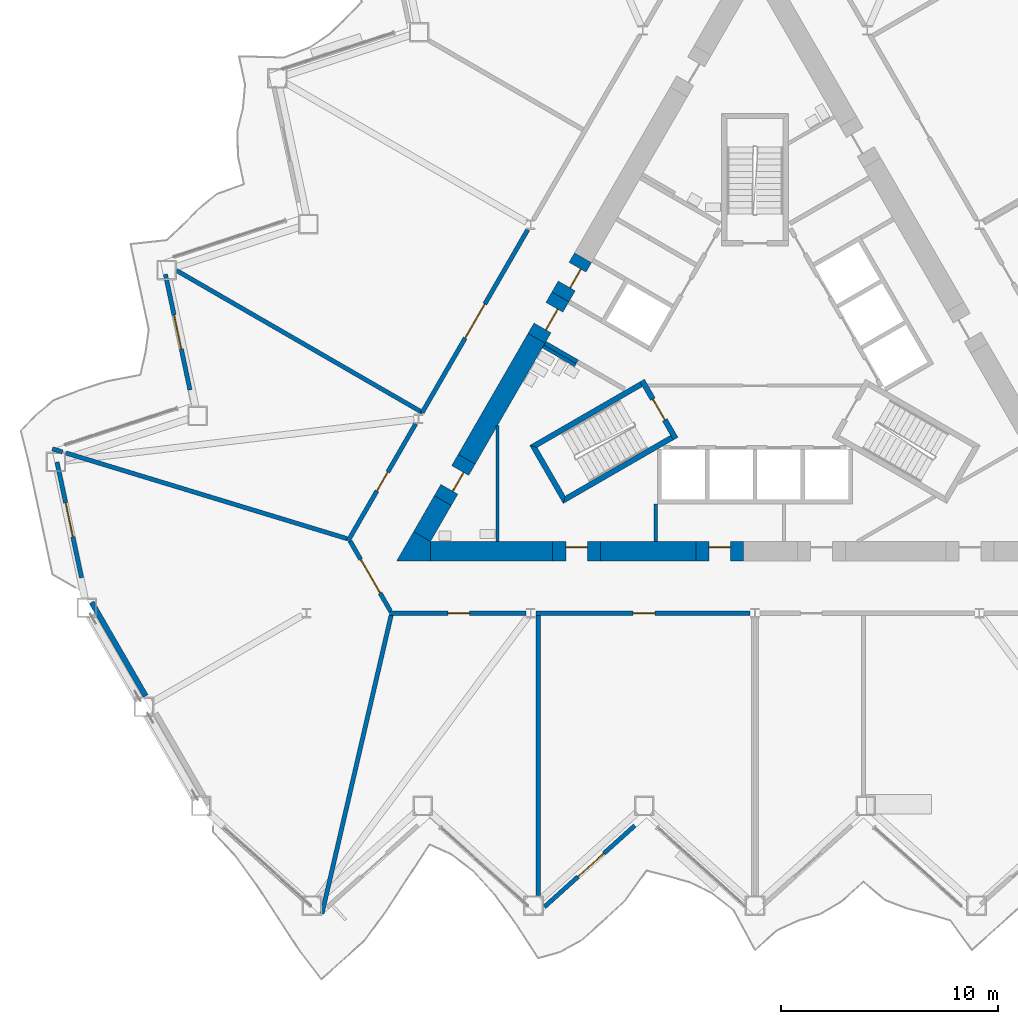
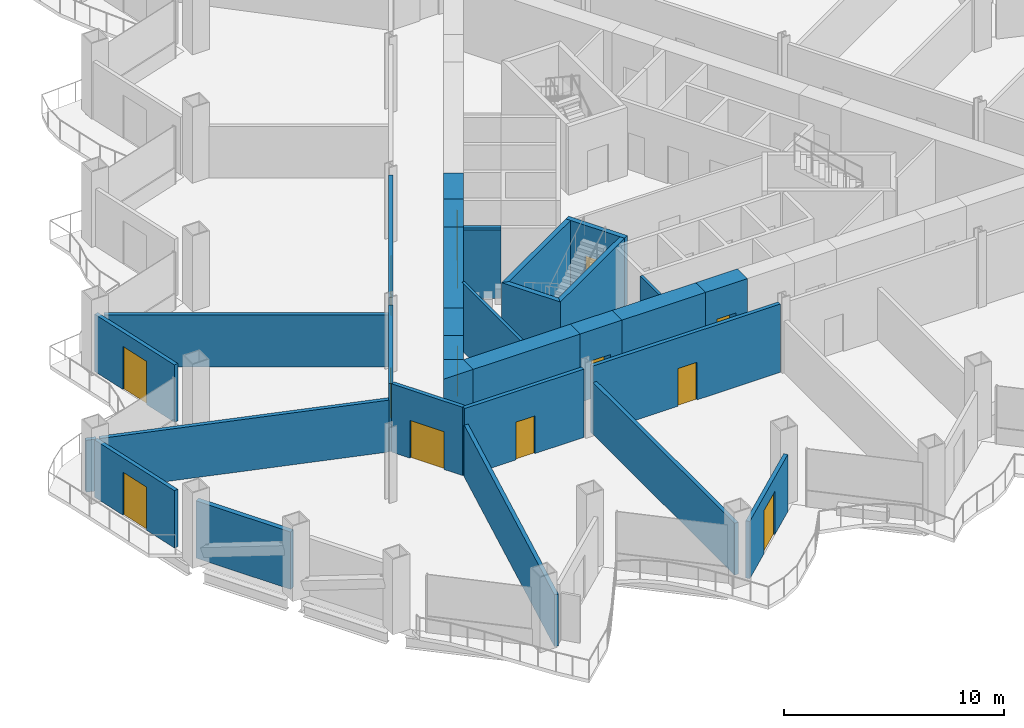
# One storey, part 10 of 21: 32 walls, 14 doors, 14 openings.
"""IFC4 building model written with IfcOpenShell, lengths in metres."""

from ifc_helpers import new_model, si_unit, direction, frame, frame_2d, origin, place, context, subcontext, project, spatial, polyline, rectangle, outline, extrude, material, layer, layer_set, type_object, element, fill, save


model = new_model("IFC4")

# Units and contexts
model_context = context("Model", 3, precision=1e-05, world=origin(), true_north=direction((0.0, 1.0)))
body_context = subcontext(model_context, "Body", "Model", "MODEL_VIEW")
ifc_project = project(units=[si_unit("LENGTHUNIT", "METRE"), si_unit("AREAUNIT", "SQUARE_METRE"), si_unit("VOLUMEUNIT", "CUBIC_METRE"), si_unit("PLANEANGLEUNIT", "RADIAN"), si_unit("MASSUNIT", "GRAM", prefix="KILO")], contexts=[model_context])

# Site, building, storey
site_placement = place(None, origin())
site = spatial("IfcSite", under=ifc_project, at=site_placement, CompositionType="ELEMENT")
building_placement = place(site_placement, origin())
building = spatial("IfcBuilding", under=site, at=building_placement, Name="Cormorant Prow Tower", CompositionType="ELEMENT")
storey_placement = place(building_placement, frame((0.0, 0.0, 108.0)))
storey = spatial("IfcBuildingStorey", under=building, at=storey_placement, Name="L22", CompositionType="ELEMENT", Elevation=108.0)

# Walls
ifc_material_1 = material(Name="Gypsum board partition")
ifc_layer_1 = layer(ifc_material_1, 0.14990234375)
ifc_layer_set_1 = layer_set([ifc_layer_1], Name="Gypsum board partition")
wall_type_1 = type_object("IfcWallType", Name="Core partition 150", PredefinedType="PARTITIONING", material=ifc_layer_set_1)
for number, where, z_axis, x_axis, name in (
    (1, (-8.268310546875, -0.509033203125, 0.0), (0.0, 0.0, 1.0), (-0.866024871741, 0.500000921525, 0.0), "Service room partition"),
    (2, (-4.574951171875, -6.906005859375, 0.0), (0.0, 0.0, 1.0), (0.0, -1.0, 0.0), "Service room partition"),
):
    element("IfcWall", number, at=place(storey_placement, frame(where, z_axis=z_axis, x_axis=x_axis)), inside=storey, type_object=wall_type_1, Name=name, PredefinedType="PARTITIONING", context=body_context, shape_type="SweptSolid", body=[
        extrude(rectangle(XDim=1.72021484375, YDim=0.14990234375, at=frame_2d((0.860107421875, 0.0))), origin(), (0.0, 0.0, 1.0), 3.800048828125),
    ])
wall_1_placement = place(storey_placement, frame((-11.853759765625, -8.626220703125, 0.0), z_axis=(0.0, 0.0, 1.0), x_axis=(0.0, 1.0, 0.0)))
element("IfcWall", 3, at=wall_1_placement, inside=storey, type_object=wall_type_1, Name="Service room partition", PredefinedType="PARTITIONING", context=body_context, shape_type="SweptSolid", body=[
    extrude(rectangle(XDim=5.347412109375, YDim=0.14990234375, at=frame_2d((2.673828125, 0.0))), origin(), (0.0, 0.0, 1.0), 3.800048828125),
])
ifc_material_2 = material(Name="Concrete 8000 psi", Category="concrete")
ifc_layer_2 = layer(ifc_material_2, 0.89990234375)
ifc_layer_set_2 = layer_set([ifc_layer_2], Name="Concrete 8000 psi")
wall_type_2 = type_object("IfcWallType", Name="Core shear wall 900", PredefinedType="SHEAR", material=ifc_layer_set_2)
wall_2_placement = place(storey_placement, frame((-14.941162109375, -9.076416015625, 0.0), z_axis=(0.0, 0.0, 1.0), x_axis=(1.0, 0.0, 0.0)))
element("IfcWall", 4, at=wall_2_placement, inside=storey, type_object=wall_type_2, Name="Core wall", PredefinedType="SHEAR", context=body_context, shape_type="SweptSolid", body=[
    extrude(rectangle(XDim=5.626708984375, YDim=0.89990234375, at=frame_2d((2.8134765625, 0.0))), origin(), (0.0, 0.0, 1.0), 3.800048828125),
])
wall_3_placement = place(storey_placement, frame((-7.114501953125, -9.076416015625, 0.0), z_axis=(0.0, 0.0, 1.0), x_axis=(1.0, 0.0, 0.0)))
element("IfcWall", 5, at=wall_3_placement, inside=storey, type_object=wall_type_2, Name="Core wall", PredefinedType="SHEAR", context=body_context, shape_type="SweptSolid", body=[
    extrude(rectangle(XDim=4.393310546875, YDim=0.89990234375, at=frame_2d((2.19677734375, 0.0))), origin(), (0.0, 0.0, 1.0), 3.800048828125),
])
wall_4_placement = place(storey_placement, frame((-10.060302734375, 0.7275390625, 0.0), z_axis=(0.0, 0.0, 1.0), x_axis=(-0.500002975332, -0.866023685969, 0.0)))
element("IfcWall", 6, at=wall_4_placement, inside=storey, type_object=wall_type_2, Name="Core wall", PredefinedType="SHEAR", context=body_context, shape_type="SweptSolid", body=[
    extrude(rectangle(XDim=6.4287109375, YDim=0.89990234375, at=frame_2d((3.21435546875, 0.0))), origin(), (0.0, 0.0, 1.0), 3.800048828125),
])
wall_5_placement = place(storey_placement, frame((-14.374755859375, -6.7451171875, 0.0), z_axis=(0.0, 0.0, 1.0), x_axis=(-0.499928740635, -0.866066541489, 0.0)))
element("IfcWall", 7, at=wall_5_placement, inside=storey, type_object=wall_type_2, Name="Core wall", PredefinedType="SHEAR", context=body_context, shape_type="SweptSolid", body=[
    extrude(rectangle(XDim=1.912353515625, YDim=0.89990234375, at=frame_2d((0.9560546875, 0.0))), origin(), (0.0, 0.0, 1.0), 3.800048828125),
])
wall_6_placement = place(storey_placement, origin())
element("IfcWall", 8, at=wall_6_placement, inside=storey, type_object=wall_type_2, Name="Core wall corner", PredefinedType="SHEAR", context=body_context, shape_type="SweptSolid", body=[
    extrude(outline(polyline([(-14.941162109375, -8.626220703125), (-14.941162109375, -9.5263671875), (-16.5, -9.5263671875), (-15.720703125, -8.17626953125), (-14.941162109375, -8.626220703125)])), origin(), (0.0, 0.0, 1.0), 3.800048828125),
])

# Wall, opening, door
wall_7_placement = place(storey_placement, frame((-2.72119140625, -9.076416015625, 0.0), z_axis=(0.0, 0.0, 1.0), x_axis=(1.0, 0.0, 0.0)))
wall_7 = element("IfcWall", 9, at=wall_7_placement, inside=storey, type_object=wall_type_2, Name="Core wall door panel", PredefinedType="SHEAR", context=body_context, shape_type="SweptSolid", body=[
    extrude(rectangle(XDim=2.199951171875, YDim=0.89990234375, at=frame_2d((1.10009765625, 0.0))), origin(), (0.0, 0.0, 1.0), 3.800048828125),
])
opening_1_placement = place(wall_7_placement, frame((0.60009765625, 0.0, 0.0)))
opening_1 = element("IfcOpeningElement", 10, at=opening_1_placement, cuts=wall_7, Name="Opening L22-C15", PredefinedType="OPENING", context=body_context, shape_type="SweptSolid", body=[
    extrude(rectangle(XDim=1.0, YDim=2.10009765625, at=frame_2d((0.5, 1.050048828125))), frame((0.0, 0.4599609375, 0.0), z_axis=(0.0, -1.0, 0.0), x_axis=(1.0, 0.0, 0.0)), (0.0, 0.0, 1.0), 0.919921875),
])
ifc_material_3 = material(Name="Painted steel", Category="steel")
door_type_1 = type_object("IfcDoorType", Name="Service door 1000x2100", OperationType="NOTDEFINED", PredefinedType="DOOR", material=ifc_material_3)
door_1_placement = place(opening_1_placement, origin())
door_1 = element("IfcDoor", 11, at=door_1_placement, inside=storey, type_object=door_type_1, Name="Core door, Telecom room", OperationType="SINGLE_SWING_LEFT", OverallHeight=2.10009765625, OverallWidth=1.0, PredefinedType="DOOR", context=body_context, shape_type="SweptSolid", body=[
    extrude(rectangle(XDim=1.0, YDim=2.10009765625, at=frame_2d((0.5, 1.050048828125))), frame((0.0, 0.205078125, 0.0), z_axis=(0.0, -1.0, 0.0), x_axis=(1.0, 0.0, 0.0)), (0.0, 0.0, 1.0), 0.050048828125),
])
fill(opening_1, door_1)

wall_8_placement = place(storey_placement, frame((-13.274658203125, -4.83984375, 0.0), z_axis=(0.0, 0.0, 1.0), x_axis=(-0.50002983664, -0.866008176907, 0.0)))
wall_8 = element("IfcWall", 12, at=wall_8_placement, inside=storey, type_object=wall_type_2, Name="Core wall door panel", PredefinedType="SHEAR", context=body_context, shape_type="SweptSolid", body=[
    extrude(rectangle(XDim=2.199951171875, YDim=0.89990234375, at=frame_2d((1.10009765625, 0.0))), origin(), (0.0, 0.0, 1.0), 3.800048828125),
])
opening_2_placement = place(wall_8_placement, frame((0.60009765625, 0.0, 0.0)))
opening_2 = element("IfcOpeningElement", 13, at=opening_2_placement, cuts=wall_8, Name="Opening L22-C18", PredefinedType="OPENING", context=body_context, shape_type="SweptSolid", body=[
    extrude(rectangle(XDim=1.0, YDim=2.10009765625, at=frame_2d((0.5, 1.050048828125))), frame((0.0, 0.4599609375, 0.0), z_axis=(0.0, -1.0, 0.0), x_axis=(1.0, 0.0, 0.0)), (0.0, 0.0, 1.0), 0.919921875),
])
door_2_placement = place(opening_2_placement, origin())
door_2 = element("IfcDoor", 14, at=door_2_placement, inside=storey, type_object=door_type_1, Name="Core door, Accessible WC L22", OperationType="SINGLE_SWING_RIGHT", OverallHeight=2.10009765625, OverallWidth=1.0, PredefinedType="DOOR", context=body_context, shape_type="SweptSolid", body=[
    extrude(rectangle(XDim=1.0, YDim=2.10009765625, at=frame_2d((0.5, 1.050048828125))), frame((0.0, 0.205078125, 0.0), z_axis=(0.0, -1.0, 0.0), x_axis=(1.0, 0.0, 0.0)), (0.0, 0.0, 1.0), 0.050048828125),
])
fill(opening_2, door_2)

wall_9_placement = place(storey_placement, frame((-9.314453125, -9.076416015625, 0.0), z_axis=(0.0, 0.0, 1.0), x_axis=(1.0, 0.0, 0.0)))
wall_9 = element("IfcWall", 15, at=wall_9_placement, inside=storey, type_object=wall_type_2, Name="Core wall door panel", PredefinedType="SHEAR", context=body_context, shape_type="SweptSolid", body=[
    extrude(rectangle(XDim=2.199951171875, YDim=0.89990234375, at=frame_2d((1.10009765625, 0.0))), origin(), (0.0, 0.0, 1.0), 3.800048828125),
])
opening_3_placement = place(wall_9_placement, frame((0.60009765625, 0.0, 0.0)))
opening_3 = element("IfcOpeningElement", 16, at=opening_3_placement, cuts=wall_9, Name="Opening L22-C19", PredefinedType="OPENING", context=body_context, shape_type="SweptSolid", body=[
    extrude(rectangle(XDim=1.0, YDim=2.10009765625, at=frame_2d((0.5, 1.050048828125))), frame((0.0, 0.4599609375, 0.0), z_axis=(0.0, -1.0, 0.0), x_axis=(1.0, 0.0, 0.0)), (0.0, 0.0, 1.0), 0.919921875),
])
door_3_placement = place(opening_3_placement, origin())
door_3 = element("IfcDoor", 17, at=door_3_placement, inside=storey, type_object=door_type_1, Name="Core door, Toilets (women) L22", OperationType="SINGLE_SWING_RIGHT", OverallHeight=2.10009765625, OverallWidth=1.0, PredefinedType="DOOR", context=body_context, shape_type="SweptSolid", body=[
    extrude(rectangle(XDim=1.0, YDim=2.10009765625, at=frame_2d((0.5, 1.050048828125))), frame((0.0, 0.205078125, 0.0), z_axis=(0.0, -1.0, 0.0), x_axis=(1.0, 0.0, 0.0)), (0.0, 0.0, 1.0), 0.050048828125),
])
fill(opening_3, door_3)

wall_10_placement = place(storey_placement, frame((-7.92041015625, 4.43408203125, 0.0), z_axis=(0.0, 0.0, 1.0), x_axis=(-0.499939227269, -0.866060488094, 0.0)))
wall_10 = element("IfcWall", 18, at=wall_10_placement, inside=storey, type_object=wall_type_2, Name="Core wall door panel", PredefinedType="SHEAR", context=body_context, shape_type="SweptSolid", body=[
    extrude(rectangle(XDim=2.079833984375, YDim=0.89990234375, at=frame_2d((1.0400390625, 0.0))), origin(), (0.0, 0.0, 1.0), 3.800048828125),
])
opening_4_placement = place(wall_10_placement, frame((0.5, 0.0, 0.0)))
opening_4 = element("IfcOpeningElement", 19, at=opening_4_placement, cuts=wall_10, Name="Opening L22-C21", PredefinedType="OPENING", context=body_context, shape_type="SweptSolid", body=[
    extrude(rectangle(XDim=1.0, YDim=2.10009765625, at=frame_2d((0.5, 1.050048828125))), frame((0.0, 0.4599609375, 0.0), z_axis=(0.0, -1.0, 0.0), x_axis=(1.0, 0.0, 0.0)), (0.0, 0.0, 1.0), 0.919921875),
])
door_4_placement = place(opening_4_placement, origin())
door_4 = element("IfcDoor", 20, at=door_4_placement, inside=storey, type_object=door_type_1, Name="Core door, Electrical room", OperationType="SINGLE_SWING_LEFT", OverallHeight=2.10009765625, OverallWidth=1.0, PredefinedType="DOOR", context=body_context, shape_type="SweptSolid", body=[
    extrude(rectangle(XDim=1.0, YDim=2.10009765625, at=frame_2d((0.5, 1.050048828125))), frame((0.0, 0.205078125, 0.0), z_axis=(0.0, -1.0, 0.0), x_axis=(1.0, 0.0, 0.0)), (0.0, 0.0, 1.0), 0.050048828125),
])
fill(opening_4, door_4)

wall_11_placement = place(storey_placement, frame((-8.960205078125, 2.6328125, 0.0), z_axis=(0.0, 0.0, 1.0), x_axis=(-0.50002983664, -0.866008176907, 0.0)))
wall_11 = element("IfcWall", 21, at=wall_11_placement, inside=storey, type_object=wall_type_2, Name="Core wall door panel", PredefinedType="SHEAR", context=body_context, shape_type="SweptSolid", body=[
    extrude(rectangle(XDim=2.199951171875, YDim=0.89990234375, at=frame_2d((1.10009765625, 0.0))), origin(), (0.0, 0.0, 1.0), 3.800048828125),
])
opening_5_placement = place(wall_11_placement, frame((0.550048828125, 0.0, 0.0)))
opening_5 = element("IfcOpeningElement", 22, at=opening_5_placement, cuts=wall_11, Name="Opening L22-C24", PredefinedType="OPENING", context=body_context, shape_type="SweptSolid", body=[
    extrude(rectangle(XDim=1.10009765625, YDim=2.10009765625, at=frame_2d((0.550048828125, 1.050048828125))), frame((0.0, 0.4599609375, 0.0), z_axis=(0.0, -1.0, 0.0), x_axis=(1.0, 0.0, 0.0)), (0.0, 0.0, 1.0), 0.919921875),
])
ifc_material_4 = material(Name="Painted steel", Category="steel")
door_type_2 = type_object("IfcDoorType", Name="Core door 1100x2100", OperationType="NOTDEFINED", PredefinedType="DOOR", material=ifc_material_4)
door_5_placement = place(opening_5_placement, origin())
door_5 = element("IfcDoor", 23, at=door_5_placement, inside=storey, type_object=door_type_2, Name="Core door, lift lobby", OperationType="SINGLE_SWING_RIGHT", OverallHeight=2.10009765625, OverallWidth=1.10009765625, PredefinedType="DOOR", context=body_context, shape_type="SweptSolid", body=[
    extrude(rectangle(XDim=1.10009765625, YDim=2.10009765625, at=frame_2d((0.550048828125, 1.050048828125))), frame((0.0, 0.205078125, 0.0), z_axis=(0.0, -1.0, 0.0), x_axis=(1.0, 0.0, 0.0)), (0.0, 0.0, 1.0), 0.050048828125),
])
fill(opening_5, door_5)

ifc_material_5 = material(Name="Gypsum board corridor wall")
ifc_layer_3 = layer(ifc_material_5, 0.199951171875)
ifc_layer_set_3 = layer_set([ifc_layer_3], Name="Gypsum board corridor wall")
wall_type_3 = type_object("IfcWallType", Name="Corridor wall 200", PredefinedType="PARTITIONING", material=ifc_layer_set_3)
wall_12_placement = place(storey_placement, frame((-10.095458984375, -11.92626953125, 0.0), z_axis=(0.0, 0.0, 1.0), x_axis=(1.0, 0.0, 0.0)))
wall_12 = element("IfcWall", 24, at=wall_12_placement, inside=storey, type_object=wall_type_3, Name="Corridor wall", PredefinedType="PARTITIONING", context=body_context, shape_type="SweptSolid", body=[
    extrude(rectangle(XDim=9.8681640625, YDim=0.199951171875, at=frame_2d((4.93408203125, 0.0))), origin(), (0.0, 0.0, 1.0), 3.800048828125),
])
opening_6_placement = place(wall_12_placement, frame((4.484375, 0.0, 0.0)))
opening_6 = element("IfcOpeningElement", 25, at=opening_6_placement, cuts=wall_12, Name="Opening L22-F02", PredefinedType="OPENING", context=body_context, shape_type="SweptSolid", body=[
    extrude(rectangle(XDim=1.0, YDim=2.10009765625, at=frame_2d((0.5, 1.050048828125))), frame((0.0, 0.10986328125, 0.0), z_axis=(0.0, -1.0, 0.0), x_axis=(1.0, 0.0, 0.0)), (0.0, 0.0, 1.0), 0.219970703125),
])
ifc_material_6 = material(Name="Timber door leaf", Category="wood")
door_type_3 = type_object("IfcDoorType", Name="Office door 1000x2100", OperationType="NOTDEFINED", PredefinedType="DOOR", material=ifc_material_6)
door_6_placement = place(opening_6_placement, origin())
door_6 = element("IfcDoor", 26, at=door_6_placement, inside=storey, type_object=door_type_3, Name="Tenant suite door", OperationType="SINGLE_SWING_LEFT", OverallHeight=2.10009765625, OverallWidth=1.0, PredefinedType="DOOR", context=body_context, shape_type="SweptSolid", body=[
    extrude(rectangle(XDim=1.0, YDim=2.10009765625, at=frame_2d((0.5, 1.050048828125))), frame((0.0, 0.02490234375, 0.0), z_axis=(0.0, -1.0, 0.0), x_axis=(1.0, 0.0, 0.0)), (0.0, 0.0, 1.0), 0.050048828125),
])
fill(opening_6, door_6)

wall_13_placement = place(storey_placement, frame((-15.326171875, -2.693115234375, 0.0), z_axis=(0.0, 0.0, 1.0), x_axis=(0.500010522431, 0.866019328571, 0.0)))
wall_13 = element("IfcWall", 27, at=wall_13_placement, inside=storey, type_object=wall_type_3, Name="Corridor wall", PredefinedType="PARTITIONING", context=body_context, shape_type="SweptSolid", body=[
    extrude(rectangle(XDim=9.732666015625, YDim=0.199951171875, at=frame_2d((4.8662109375, 0.0))), origin(), (0.0, 0.0, 1.0), 3.800048828125),
])
opening_7_placement = place(wall_13_placement, frame((3.96630859375, 0.0, 0.0)))
opening_7 = element("IfcOpeningElement", 28, at=opening_7_placement, cuts=wall_13, Name="Opening L22-F13", PredefinedType="OPENING", context=body_context, shape_type="SweptSolid", body=[
    extrude(rectangle(XDim=1.800048828125, YDim=2.10009765625, at=frame_2d((0.89990234375, 1.050048828125))), frame((0.0, 0.10986328125, 0.0), z_axis=(0.0, -1.0, 0.0), x_axis=(1.0, 0.0, 0.0)), (0.0, 0.0, 1.0), 0.219970703125),
])
ifc_material_7 = material(Name="Timber door leaf", Category="wood")
door_type_4 = type_object("IfcDoorType", Name="Double door 1800x2100", OperationType="DOUBLE_DOOR_SINGLE_SWING", PredefinedType="DOOR", material=ifc_material_7)
door_7_placement = place(opening_7_placement, origin())
door_7 = element("IfcDoor", 29, at=door_7_placement, inside=storey, type_object=door_type_4, Name="Trading room door", OperationType="DOUBLE_DOOR_SINGLE_SWING", OverallHeight=2.10009765625, OverallWidth=1.800048828125, PredefinedType="DOOR", context=body_context, shape_type="SweptSolid", body=[
    extrude(rectangle(XDim=1.800048828125, YDim=2.10009765625, at=frame_2d((0.89990234375, 1.050048828125))), frame((0.0, 0.02490234375, 0.0), z_axis=(0.0, -1.0, 0.0), x_axis=(1.0, 0.0, 0.0)), (0.0, 0.0, 1.0), 0.050048828125),
])
fill(opening_7, door_7)

wall_14_placement = place(storey_placement, frame((-16.830810546875, -11.92626953125, 0.0), z_axis=(0.0, 0.0, 1.0), x_axis=(1.0, 0.0, 0.0)))
wall_14 = element("IfcWall", 30, at=wall_14_placement, inside=storey, type_object=wall_type_3, Name="Corridor wall", PredefinedType="PARTITIONING", context=body_context, shape_type="SweptSolid", body=[
    extrude(rectangle(XDim=6.27490234375, YDim=0.199951171875, at=frame_2d((3.137451171875, 0.0))), origin(), (0.0, 0.0, 1.0), 3.800048828125),
])
opening_8_placement = place(wall_14_placement, frame((2.688232421875, 0.0, 0.0)))
opening_8 = element("IfcOpeningElement", 31, at=opening_8_placement, cuts=wall_14, Name="Opening L22-F01", PredefinedType="OPENING", context=body_context, shape_type="SweptSolid", body=[
    extrude(rectangle(XDim=1.0, YDim=2.10009765625, at=frame_2d((0.5, 1.050048828125))), frame((0.0, 0.10986328125, 0.0), z_axis=(0.0, -1.0, 0.0), x_axis=(1.0, 0.0, 0.0)), (0.0, 0.0, 1.0), 0.219970703125),
])
door_8_placement = place(opening_8_placement, origin())
door_8 = element("IfcDoor", 32, at=door_8_placement, inside=storey, type_object=door_type_3, Name="Co-working room door", OperationType="SINGLE_SWING_LEFT", OverallHeight=2.10009765625, OverallWidth=1.0, PredefinedType="DOOR", context=body_context, shape_type="SweptSolid", body=[
    extrude(rectangle(XDim=1.0, YDim=2.10009765625, at=frame_2d((0.5, 1.050048828125))), frame((0.0, 0.02490234375, 0.0), z_axis=(0.0, -1.0, 0.0), x_axis=(1.0, 0.0, 0.0)), (0.0, 0.0, 1.0), 0.050048828125),
])
fill(opening_8, door_8)

wall_15_placement = place(storey_placement, frame((-18.743896484375, -8.61279296875, 0.0), z_axis=(0.0, 0.0, 1.0), x_axis=(0.499997920671, 0.866026604282, 0.0)))
wall_15 = element("IfcWall", 33, at=wall_15_placement, inside=storey, type_object=wall_type_3, Name="Corridor wall", PredefinedType="PARTITIONING", context=body_context, shape_type="SweptSolid", body=[
    extrude(rectangle(XDim=6.23974609375, YDim=0.199951171875, at=frame_2d((3.119873046875, 0.0))), origin(), (0.0, 0.0, 1.0), 3.800048828125),
])
opening_9_placement = place(wall_15_placement, frame((2.67041015625, 0.0, 0.0)))
opening_9 = element("IfcOpeningElement", 34, at=opening_9_placement, cuts=wall_15, Name="Opening L22-F14", PredefinedType="OPENING", context=body_context, shape_type="SweptSolid", body=[
    extrude(rectangle(XDim=1.0, YDim=2.10009765625, at=frame_2d((0.5, 1.050048828125))), frame((0.0, 0.10986328125, 0.0), z_axis=(0.0, -1.0, 0.0), x_axis=(1.0, 0.0, 0.0)), (0.0, 0.0, 1.0), 0.219970703125),
])
door_9_placement = place(opening_9_placement, origin())
door_9 = element("IfcDoor", 35, at=door_9_placement, inside=storey, type_object=door_type_3, Name="Open-plan office door", OperationType="SINGLE_SWING_RIGHT", OverallHeight=2.10009765625, OverallWidth=1.0, PredefinedType="DOOR", context=body_context, shape_type="SweptSolid", body=[
    extrude(rectangle(XDim=1.0, YDim=2.10009765625, at=frame_2d((0.5, 1.050048828125))), frame((0.0, 0.02490234375, 0.0), z_axis=(0.0, -1.0, 0.0), x_axis=(1.0, 0.0, 0.0)), (0.0, 0.0, 1.0), 0.050048828125),
])
fill(opening_9, door_9)

wall_16_placement = place(storey_placement, frame((-18.643798828125, -8.61279296875, 0.0), z_axis=(0.0, 0.0, 1.0), x_axis=(0.499958791762, -0.866049194065, 0.0)))
wall_16 = element("IfcWall", 36, at=wall_16_placement, inside=storey, type_object=wall_type_3, Name="Corridor wall", PredefinedType="PARTITIONING", context=body_context, shape_type="SweptSolid", body=[
    extrude(rectangle(XDim=3.725830078125, YDim=0.199951171875, at=frame_2d((1.86279296875, 0.0))), origin(), (0.0, 0.0, 1.0), 3.800048828125),
])
opening_10_placement = place(wall_16_placement, frame((0.962890625, 0.0, 0.0)))
opening_10 = element("IfcOpeningElement", 37, at=opening_10_placement, cuts=wall_16, Name="Opening L22-F15", PredefinedType="OPENING", context=body_context, shape_type="SweptSolid", body=[
    extrude(rectangle(XDim=1.800048828125, YDim=2.10009765625, at=frame_2d((0.89990234375, 1.050048828125))), frame((0.0, 0.10986328125, 0.0), z_axis=(0.0, -1.0, 0.0), x_axis=(1.0, 0.0, 0.0)), (0.0, 0.0, 1.0), 0.219970703125),
])
door_10_placement = place(opening_10_placement, origin())
door_10 = element("IfcDoor", 38, at=door_10_placement, inside=storey, type_object=door_type_4, Name="Trading room door", OperationType="DOUBLE_DOOR_SINGLE_SWING", OverallHeight=2.10009765625, OverallWidth=1.800048828125, PredefinedType="DOOR", context=body_context, shape_type="SweptSolid", body=[
    extrude(rectangle(XDim=1.800048828125, YDim=2.10009765625, at=frame_2d((0.89990234375, 1.050048828125))), frame((0.0, 0.02490234375, 0.0), z_axis=(0.0, -1.0, 0.0), x_axis=(1.0, 0.0, 0.0)), (0.0, 0.0, 1.0), 0.050048828125),
])
fill(opening_10, door_10)

# Walls
ifc_material_8 = material(Name="Gypsum board demising wall")
ifc_layer_4 = layer(ifc_material_8, 0.199951171875)
ifc_layer_set_4 = layer_set([ifc_layer_4], Name="Gypsum board demising wall")
wall_type_4 = type_object("IfcWallType", Name="Demising wall 200", PredefinedType="PARTITIONING", material=ifc_layer_set_4)
wall_17_placement = place(storey_placement, frame((-19.939697265625, -25.766845703125, 0.0), z_axis=(0.0, 0.0, 1.0), x_axis=(0.225854066841, 0.974161147086, 0.0)))
element("IfcWall", 39, at=wall_17_placement, inside=storey, type_object=wall_type_4, Name="Demising wall", PredefinedType="PARTITIONING", context=body_context, shape_type="SweptSolid", body=[
    extrude(rectangle(XDim=14.107666015625, YDim=0.199951171875, at=frame_2d((7.0537109375, 0.0))), origin(), (0.0, 0.0, 1.0), 2.88525390625),
])
wall_18_placement = place(storey_placement, frame((-31.736083984375, -4.552001953125, 0.0), z_axis=(0.0, 0.0, 1.0), x_axis=(0.956574643239, -0.291487481569, 0.0)))
element("IfcWall", 40, at=wall_18_placement, inside=storey, type_object=wall_type_4, Name="Demising wall", PredefinedType="PARTITIONING", context=body_context, shape_type="SweptSolid", body=[
    extrude(rectangle(XDim=13.5341796875, YDim=0.199951171875, at=frame_2d((6.76708984375, 0.0))), origin(), (0.0, 0.0, 1.0), 2.88525390625),
])
wall_19_placement = place(storey_placement, frame((-26.63623046875, 3.848388671875, 0.0), z_axis=(0.0, 0.0, 1.0), x_axis=(0.866029068465, -0.499993652534, 0.0)))
element("IfcWall", 41, at=wall_19_placement, inside=storey, type_object=wall_type_4, Name="Demising wall", PredefinedType="PARTITIONING", context=body_context, shape_type="SweptSolid", body=[
    extrude(rectangle(XDim=13.065673828125, YDim=0.199951171875, at=frame_2d((6.53271484375, 0.0))), origin(), (0.0, 0.0, 1.0), 2.88525390625),
])
wall_20_placement = place(storey_placement, frame((-9.9853515625, -24.939208984375, 0.0), z_axis=(0.0, 0.0, 1.0), x_axis=(0.0, 1.0, 0.0)))
element("IfcWall", 42, at=wall_20_placement, inside=storey, type_object=wall_type_4, Name="Demising wall", PredefinedType="PARTITIONING", context=body_context, shape_type="SweptSolid", body=[
    extrude(rectangle(XDim=12.912841796875, YDim=0.199951171875, at=frame_2d((6.45654296875, 0.0))), origin(), (0.0, 0.0, 1.0), 2.88525390625),
])
wall_21_placement = place(storey_placement, frame((-32.353759765625, -4.364013671875, 0.0), z_axis=(0.0, 0.0, 1.0), x_axis=(0.956697940105, -0.291082550832, 0.0)))
element("IfcWall", 43, at=wall_21_placement, inside=storey, type_object=wall_type_4, Name="Demising wall", PredefinedType="PARTITIONING", context=body_context, shape_type="SweptSolid", body=[
    extrude(rectangle(XDim=0.491455078125, YDim=0.199951171875, at=frame_2d((0.24560546875, 0.0))), origin(), (0.0, 0.0, 1.0), 2.88525390625),
])
ifc_material_9 = material(Name="Concrete 8000 psi", Category="concrete")
ifc_layer_5 = layer(ifc_material_9, 0.199951171875)
ifc_layer_set_5 = layer_set([ifc_layer_5], Name="Concrete 8000 psi")
wall_type_5 = type_object("IfcWallType", Name="Lift shaft wall 200", PredefinedType="SHEAR", material=ifc_layer_set_5)
wall_22_placement = place(storey_placement, frame((-8.180908203125, -0.357421875, 0.0), z_axis=(0.0, 0.0, 1.0), x_axis=(-0.866024871741, 0.500000921525, 0.0)))
element("IfcWall", 44, at=wall_22_placement, inside=storey, type_object=wall_type_5, Name="Lobby passage wall", PredefinedType="SHEAR", context=body_context, shape_type="SweptSolid", body=[
    extrude(rectangle(XDim=1.72021484375, YDim=0.199951171875, at=frame_2d((0.860107421875, 0.0))), origin(), (0.0, 0.0, 1.0), 3.800048828125),
])
ifc_material_10 = material(Name="Concrete 8000 psi", Category="concrete")
ifc_layer_6 = layer(ifc_material_10, 0.25)
ifc_layer_set_6 = layer_set([ifc_layer_6], Name="Concrete 8000 psi")
wall_type_6 = type_object("IfcWallType", Name="Stair wall 250", PredefinedType="SHEAR", material=ifc_layer_set_6)
wall_23_placement = place(storey_placement, origin())
element("IfcWall", 45, at=wall_23_placement, inside=storey, type_object=wall_type_6, Name="Stair ST1 enclosure wall (flank)", PredefinedType="SHEAR", context=body_context, shape_type="SweptSolid", body=[
    extrude(outline(polyline([(-5.30712890625, -1.28125), (-10.37353515625, -4.206298828125), (-10.031982421875, -4.2978515625), (-5.18212890625, -1.497802734375), (-5.30712890625, -1.28125)])), origin(), (0.0, 0.0, 1.0), 3.800048828125),
])
wall_24_placement = place(storey_placement, origin())
element("IfcWall", 46, at=wall_24_placement, inside=storey, type_object=wall_type_6, Name="Stair ST1 enclosure wall (end)", PredefinedType="SHEAR", context=body_context, shape_type="SweptSolid", body=[
    extrude(outline(polyline([(-10.37353515625, -4.206298828125), (-8.82958984375, -6.880615234375), (-8.738037109375, -6.5390625), (-10.031982421875, -4.2978515625), (-10.37353515625, -4.206298828125)])), origin(), (0.0, 0.0, 1.0), 3.800048828125),
])
wall_25_placement = place(storey_placement, origin())
element("IfcWall", 47, at=wall_25_placement, inside=storey, type_object=wall_type_6, Name="Stair ST1 enclosure wall (flank)", PredefinedType="SHEAR", context=body_context, shape_type="SweptSolid", body=[
    extrude(outline(polyline([(-8.738037109375, -6.5390625), (-8.82958984375, -6.880615234375), (-3.76318359375, -3.95556640625), (-3.88818359375, -3.739013671875), (-8.738037109375, -6.5390625)])), origin(), (0.0, 0.0, 1.0), 3.800048828125),
])

# Wall, opening, door
wall_26_placement = place(storey_placement, frame((-5.198974609375, -1.21875, 0.0), z_axis=(0.0, 0.0, 1.0), x_axis=(0.499982516597, -0.866035497597, 0.0)))
wall_26 = element("IfcWall", 48, at=wall_26_placement, inside=storey, type_object=wall_type_6, Name="Stair ST1 door wall", PredefinedType="SHEAR", context=body_context, shape_type="SweptSolid", body=[
    extrude(rectangle(XDim=3.087890625, YDim=0.25, at=frame_2d((1.5439453125, 0.0))), origin(), (0.0, 0.0, 1.0), 3.800048828125),
])
opening_11_placement = place(wall_26_placement, frame((0.993896484375, 0.0, 0.0)))
opening_11 = element("IfcOpeningElement", 49, at=opening_11_placement, cuts=wall_26, Name="Opening L22-C12", PredefinedType="OPENING", context=body_context, shape_type="SweptSolid", body=[
    extrude(rectangle(XDim=1.10009765625, YDim=2.10009765625, at=frame_2d((0.550048828125, 1.050048828125))), frame((0.0, 0.135009765625, 0.0), z_axis=(0.0, -1.0, 0.0), x_axis=(1.0, 0.0, 0.0)), (0.0, 0.0, 1.0), 0.27001953125),
])
ifc_material_11 = material(Name="Painted steel", Category="steel")
door_type_5 = type_object("IfcDoorType", Name="Stair door 1100x2100", OperationType="NOTDEFINED", PredefinedType="DOOR", material=ifc_material_11)
door_11_placement = place(opening_11_placement, origin())
door_11 = element("IfcDoor", 50, at=door_11_placement, inside=storey, type_object=door_type_5, Name="Stair ST1 door", OperationType="SINGLE_SWING_LEFT", OverallHeight=2.10009765625, OverallWidth=1.10009765625, PredefinedType="DOOR", context=body_context, shape_type="SweptSolid", body=[
    extrude(rectangle(XDim=1.10009765625, YDim=2.10009765625, at=frame_2d((0.550048828125, 1.050048828125))), frame((0.0, 0.02490234375, 0.0), z_axis=(0.0, -1.0, 0.0), x_axis=(1.0, 0.0, 0.0)), (0.0, 0.0, 1.0), 0.050048828125),
])
fill(opening_11, door_11)

# Wall
ifc_material_12 = material(Name="Terracotta", Category="masonry")
ifc_layer_7 = layer(ifc_material_12, 0.25)
ifc_layer_set_7 = layer_set([ifc_layer_7], Name="Terracotta")
wall_type_7 = type_object("IfcWallType", Name="Terracotta bay wall 250", PredefinedType="SOLIDWALL", material=ifc_layer_set_7)
wall_27_placement = place(storey_placement, frame((-30.54931640625, -11.4296875, 0.0), z_axis=(0.0, 0.0, 1.0), x_axis=(0.499992577793, -0.866029688955, 0.0)))
element("IfcWall", 51, at=wall_27_placement, inside=storey, type_object=wall_type_7, Name="Terracotta bay wall WSW00", PredefinedType="SOLIDWALL", context=body_context, shape_type="SweptSolid", body=[
    extrude(rectangle(XDim=4.98095703125, YDim=0.25, at=frame_2d((2.490478515625, 0.0))), origin(), (0.0, 0.0, 1.0), 3.18896484375),
])

# Wall, opening, door
ifc_material_13 = material(Name="Terracotta", Category="masonry")
ifc_layer_8 = layer(ifc_material_13, 0.199951171875)
ifc_layer_set_8 = layer_set([ifc_layer_8], Name="Terracotta")
wall_type_8 = type_object("IfcWallType", Name="Terracotta jamb wall 200", PredefinedType="SOLIDWALL", material=ifc_layer_set_8)
wall_28_placement = place(storey_placement, frame((-9.6962890625, -25.45556640625, 0.0), z_axis=(0.0, 0.0, 1.0), x_axis=(0.743151138555, 0.66912359491, 0.0)))
wall_28 = element("IfcWall", 52, at=wall_28_placement, inside=storey, type_object=wall_type_8, Name="Terracotta jamb wall S03", PredefinedType="SOLIDWALL", context=body_context, shape_type="SweptSolid", body=[
    extrude(rectangle(XDim=5.603271484375, YDim=0.199951171875, at=frame_2d((2.8017578125, 0.0))), origin(), (0.0, 0.0, 1.0), 3.18896484375),
])
opening_12_placement = place(wall_28_placement, frame((2.080322265625, 0.0, 0.0)))
opening_12 = element("IfcOpeningElement", 53, at=opening_12_placement, cuts=wall_28, Name="Opening ED22.02", PredefinedType="OPENING", context=body_context, shape_type="SweptSolid", body=[
    extrude(rectangle(XDim=1.60009765625, YDim=2.39990234375, at=frame_2d((0.800048828125, 1.199951171875))), frame((0.0, 0.10986328125, 0.0), z_axis=(0.0, -1.0, 0.0), x_axis=(1.0, 0.0, 0.0)), (0.0, 0.0, 1.0), 0.219970703125),
])
ifc_material_14 = material(Name="Aluminium 6063-T6", Category="aluminium")
door_type_6 = type_object("IfcDoorType", Name="Balcony door 1600x2400", OperationType="DOUBLE_DOOR_SINGLE_SWING", PredefinedType="DOOR", material=ifc_material_14)
door_12_placement = place(opening_12_placement, origin())
door_12 = element("IfcDoor", 54, at=door_12_placement, inside=storey, type_object=door_type_6, Name="Balcony door S03 ED22.02", OperationType="DOUBLE_DOOR_SINGLE_SWING", OverallHeight=2.39990234375, OverallWidth=1.60009765625, PredefinedType="DOOR", context=body_context, shape_type="SweptSolid", body=[
    extrude(rectangle(XDim=1.60009765625, YDim=2.39990234375, at=frame_2d((0.800048828125, 1.199951171875))), frame((0.0, 0.02490234375, 0.0), z_axis=(0.0, -1.0, 0.0), x_axis=(1.0, 0.0, 0.0)), (0.0, 0.0, 1.0), 0.050048828125),
])
fill(opening_12, door_12)

wall_29_placement = place(storey_placement, frame((-27.149658203125, 3.67626953125, 0.0), z_axis=(0.0, 0.0, 1.0), x_axis=(0.207912369528, -0.978147456469, 0.0)))
wall_29 = element("IfcWall", 55, at=wall_29_placement, inside=storey, type_object=wall_type_8, Name="Terracotta jamb wall WNW07", PredefinedType="SOLIDWALL", context=body_context, shape_type="SweptSolid", body=[
    extrude(rectangle(XDim=5.446044921875, YDim=0.199951171875, at=frame_2d((2.72314453125, 0.0))), origin(), (0.0, 0.0, 1.0), 3.18896484375),
])
opening_13_placement = place(wall_29_placement, frame((1.923095703125, 0.0, 0.0)))
opening_13 = element("IfcOpeningElement", 56, at=opening_13_placement, cuts=wall_29, Name="Opening ED22.14", PredefinedType="OPENING", context=body_context, shape_type="SweptSolid", body=[
    extrude(rectangle(XDim=1.60009765625, YDim=2.39990234375, at=frame_2d((0.800048828125, 1.199951171875))), frame((0.0, 0.10986328125, 0.0), z_axis=(0.0, -1.0, 0.0), x_axis=(1.0, 0.0, 0.0)), (0.0, 0.0, 1.0), 0.219970703125),
])
door_13_placement = place(opening_13_placement, origin())
door_13 = element("IfcDoor", 57, at=door_13_placement, inside=storey, type_object=door_type_6, Name="Balcony door WNW07 ED22.14", OperationType="DOUBLE_DOOR_SINGLE_SWING", OverallHeight=2.39990234375, OverallWidth=1.60009765625, PredefinedType="DOOR", context=body_context, shape_type="SweptSolid", body=[
    extrude(rectangle(XDim=1.60009765625, YDim=2.39990234375, at=frame_2d((0.800048828125, 1.199951171875))), frame((0.0, 0.02490234375, 0.0), z_axis=(0.0, -1.0, 0.0), x_axis=(1.0, 0.0, 0.0)), (0.0, 0.0, 1.0), 0.050048828125),
])
fill(opening_13, door_13)

wall_30_placement = place(storey_placement, frame((-32.142333984375, -4.97119140625, 0.0), z_axis=(0.0, 0.0, 1.0), x_axis=(0.207903253291, -0.978149394148, 0.0)))
wall_30 = element("IfcWall", 58, at=wall_30_placement, inside=storey, type_object=wall_type_8, Name="Terracotta jamb wall WNW09", PredefinedType="SOLIDWALL", context=body_context, shape_type="SweptSolid", body=[
    extrude(rectangle(XDim=5.4462890625, YDim=0.199951171875, at=frame_2d((2.72314453125, 0.0))), origin(), (0.0, 0.0, 1.0), 3.18896484375),
])
opening_14_placement = place(wall_30_placement, frame((1.923095703125, 0.0, 0.0)))
opening_14 = element("IfcOpeningElement", 59, at=opening_14_placement, cuts=wall_30, Name="Opening ED22.15", PredefinedType="OPENING", context=body_context, shape_type="SweptSolid", body=[
    extrude(rectangle(XDim=1.60009765625, YDim=2.39990234375, at=frame_2d((0.800048828125, 1.199951171875))), frame((0.0, 0.10986328125, 0.0), z_axis=(0.0, -1.0, 0.0), x_axis=(1.0, 0.0, 0.0)), (0.0, 0.0, 1.0), 0.219970703125),
])
door_14_placement = place(opening_14_placement, origin())
door_14 = element("IfcDoor", 60, at=door_14_placement, inside=storey, type_object=door_type_6, Name="Balcony door WNW09 ED22.15", OperationType="DOUBLE_DOOR_SINGLE_SWING", OverallHeight=2.39990234375, OverallWidth=1.60009765625, PredefinedType="DOOR", context=body_context, shape_type="SweptSolid", body=[
    extrude(rectangle(XDim=1.60009765625, YDim=2.39990234375, at=frame_2d((0.800048828125, 1.199951171875))), frame((0.0, 0.02490234375, 0.0), z_axis=(0.0, -1.0, 0.0), x_axis=(1.0, 0.0, 0.0)), (0.0, 0.0, 1.0), 0.050048828125),
])
fill(opening_14, door_14)

save(model, "model.ifc")
